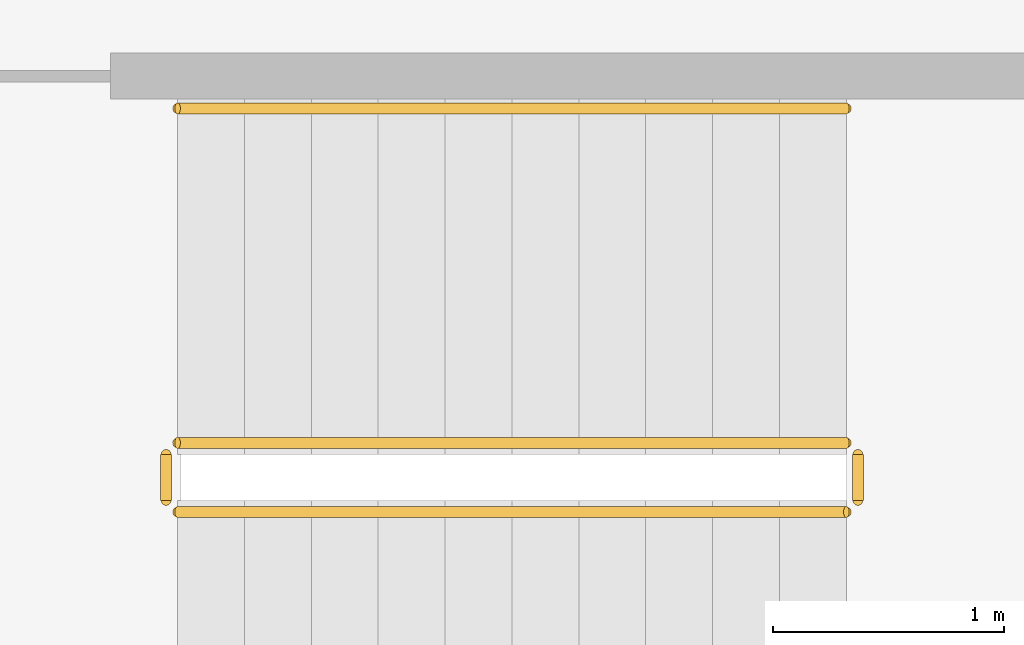
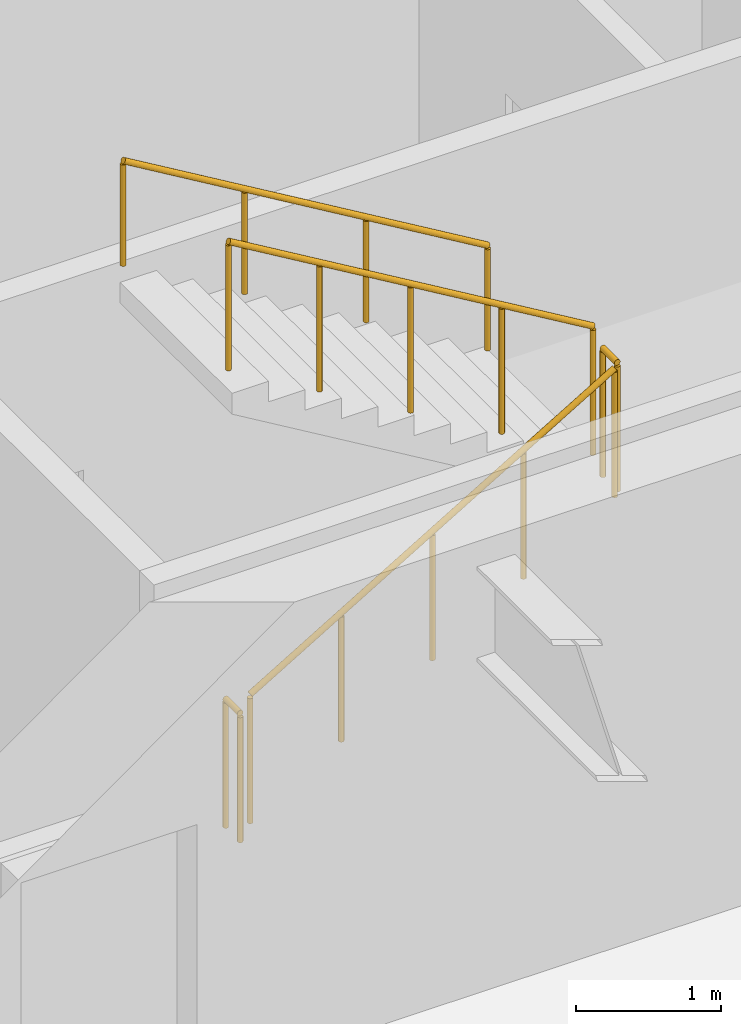
# One storey, part 19 of 20: 5 railings.
"""IFC4 building model written with IfcOpenShell, lengths in metres."""

from ifc_helpers import new_model, si_unit, direction, frame, origin, origin_2d, place, context, subcontext, project, spatial, circle, extrude, material, type_object, element, save


model = new_model("IFC4")

# Units and contexts
model_context = context("Model", 3, precision=1e-05, world=origin(), true_north=direction((0.0, 1.0)))
body_context = subcontext(model_context, "Body", "Model", "MODEL_VIEW")
ifc_project = project(units=[si_unit("LENGTHUNIT", "METRE"), si_unit("AREAUNIT", "SQUARE_METRE"), si_unit("VOLUMEUNIT", "CUBIC_METRE"), si_unit("PLANEANGLEUNIT", "RADIAN"), si_unit("MASSUNIT", "GRAM", prefix="KILO")], contexts=[model_context])

# Site, building, storey
site_placement = place(None, origin())
site = spatial("IfcSite", under=ifc_project, at=site_placement, CompositionType="ELEMENT")
building_placement = place(site_placement, origin())
building = spatial("IfcBuilding", under=site, at=building_placement, Name="Putna Gate Headquarters", CompositionType="ELEMENT")
storey_placement = place(building_placement, frame((0.0, 0.0, 270.800048828125)))
storey = spatial("IfcBuildingStorey", under=building, at=storey_placement, Name="L68", CompositionType="ELEMENT", Elevation=270.800048828125)

# Railings
ifc_material_1 = material(Name="Powder-coated steel stair guardrail", Category="steel")
railing_type_1 = type_object("IfcRailingType", Name="RAIL-STAIR-GUARD-1100", PredefinedType="GUARDRAIL", material=ifc_material_1)
railing_1_placement = place(storey_placement, frame((57.89990234375, 21.10009765625, 0.172607421875)))
element("IfcRailing", 1, at=railing_1_placement, inside=storey, type_object=railing_type_1, Name="L68 ST2 stair guard 1", PredefinedType="GUARDRAIL", context=body_context, shape_type="SweptSolid", body=[
    extrude(circle(Radius=0.02392578125, at=origin_2d()), frame((0.0, 0.0, 1.076171875), z_axis=(0.859160404282, 0.0, 0.51170636083), x_axis=(0.0, 1.0, 0.0)), (0.0, 0.0, 1.0), 3.37548828125),
    extrude(circle(Radius=0.02099609375, at=origin_2d()), origin(), (0.0, 0.0, 1.0), 1.052001953125),
    extrude(circle(Radius=0.02099609375, at=origin_2d()), frame((0.72509765625, 0.0, 0.431884765625)), (0.0, 0.0, 1.0), 1.052001953125),
    extrude(circle(Radius=0.02099609375, at=origin_2d()), frame((1.4501953125, 0.0, 0.86376953125)), (0.0, 0.0, 1.0), 1.052001953125),
    extrude(circle(Radius=0.02099609375, at=origin_2d()), frame((2.175048828125, 0.0, 1.29541015625)), (0.0, 0.0, 1.0), 1.052001953125),
    extrude(circle(Radius=0.02099609375, at=origin_2d()), frame((2.900146484375, 0.0, 1.727294921875)), (0.0, 0.0, 1.0), 1.052001953125),
])
railing_2_placement = place(storey_placement, frame((60.85009765625, 21.14990234375, 1.89990234375)))
element("IfcRailing", 2, at=railing_2_placement, inside=storey, type_object=railing_type_1, Name="L68 ST2 stair guard 2", PredefinedType="GUARDRAIL", context=body_context, shape_type="SweptSolid", body=[
    extrude(circle(Radius=0.02392578125, at=origin_2d()), frame((0.0, 0.0, 1.076171875), z_axis=(0.0, 1.0, 0.0), x_axis=(-1.0, 0.0, 0.0)), (0.0, 0.0, 1.0), 0.2001953125),
    extrude(circle(Radius=0.02099609375, at=origin_2d()), origin(), (0.0, 0.0, 1.0), 1.052001953125),
    extrude(circle(Radius=0.02099609375, at=origin_2d()), frame((0.0, 0.2001953125, 0.0)), (0.0, 0.0, 1.0), 1.052001953125),
])
railing_3_placement = place(storey_placement, frame((60.800048828125, 21.39990234375, 2.07275390625)))
element("IfcRailing", 3, at=railing_3_placement, inside=storey, type_object=railing_type_1, Name="L68 ST2 stair guard 3", PredefinedType="GUARDRAIL", context=body_context, shape_type="SweptSolid", body=[
    extrude(circle(Radius=0.02392578125, at=origin_2d()), frame((0.0, 0.0, 1.076171875), z_axis=(-0.859160404282, 0.0, 0.51170636083), x_axis=(0.0, -1.0, 0.0)), (0.0, 0.0, 1.0), 3.37548828125),
    extrude(circle(Radius=0.02099609375, at=origin_2d()), origin(), (0.0, 0.0, 1.0), 1.052001953125),
    extrude(circle(Radius=0.02099609375, at=origin_2d()), frame((-0.72509765625, 0.0, 0.431884765625)), (0.0, 0.0, 1.0), 1.052001953125),
    extrude(circle(Radius=0.02099609375, at=origin_2d()), frame((-1.4501953125, 0.0, 0.86376953125)), (0.0, 0.0, 1.0), 1.052001953125),
    extrude(circle(Radius=0.02099609375, at=origin_2d()), frame((-2.175048828125, 0.0, 1.29541015625)), (0.0, 0.0, 1.0), 1.052001953125),
    extrude(circle(Radius=0.02099609375, at=origin_2d()), frame((-2.900146484375, 0.0, 1.727294921875)), (0.0, 0.0, 1.0), 1.052001953125),
])
railing_4_placement = place(storey_placement, frame((57.85009765625, 21.14990234375, 0.0)))
element("IfcRailing", 4, at=railing_4_placement, inside=storey, type_object=railing_type_1, Name="L68 ST2 stair guard 4", PredefinedType="GUARDRAIL", context=body_context, shape_type="SweptSolid", body=[
    extrude(circle(Radius=0.02392578125, at=origin_2d()), frame((0.0, 0.0, 1.076171875), z_axis=(0.0, 1.0, 0.0), x_axis=(-1.0, 0.0, 0.0)), (0.0, 0.0, 1.0), 0.2001953125),
    extrude(circle(Radius=0.02099609375, at=origin_2d()), origin(), (0.0, 0.0, 1.0), 1.052001953125),
    extrude(circle(Radius=0.02099609375, at=origin_2d()), frame((0.0, 0.2001953125, 0.0)), (0.0, 0.0, 1.0), 1.052001953125),
])
ifc_material_2 = material(Name="Brushed stainless steel handrail", Category="steel")
railing_type_2 = type_object("IfcRailingType", Name="RAIL-STAIR-HAND-900", PredefinedType="HANDRAIL", material=ifc_material_2)
railing_5_placement = place(storey_placement, frame((60.800048828125, 22.85009765625, 2.07275390625)))
element("IfcRailing", 5, at=railing_5_placement, inside=storey, type_object=railing_type_2, Name="L68 ST2 stair handrail 2", PredefinedType="HANDRAIL", context=body_context, shape_type="SweptSolid", body=[
    extrude(circle(Radius=0.02392578125, at=origin_2d()), frame((0.0, 0.0, 0.8759765625), z_axis=(-0.859160404282, 0.0, 0.51170636083), x_axis=(0.0, -1.0, 0.0)), (0.0, 0.0, 1.0), 3.37548828125),
    extrude(circle(Radius=0.02099609375, at=origin_2d()), origin(), (0.0, 0.0, 1.0), 0.851806640625),
    extrude(circle(Radius=0.02099609375, at=origin_2d()), frame((-0.966796875, 0.0, 0.57568359375)), (0.0, 0.0, 1.0), 0.851806640625),
    extrude(circle(Radius=0.02099609375, at=origin_2d()), frame((-1.933349609375, 0.0, 1.151611328125)), (0.0, 0.0, 1.0), 0.851806640625),
    extrude(circle(Radius=0.02099609375, at=origin_2d()), frame((-2.900146484375, 0.0, 1.727294921875)), (0.0, 0.0, 1.0), 0.851806640625),
])

save(model, "model.ifc")
